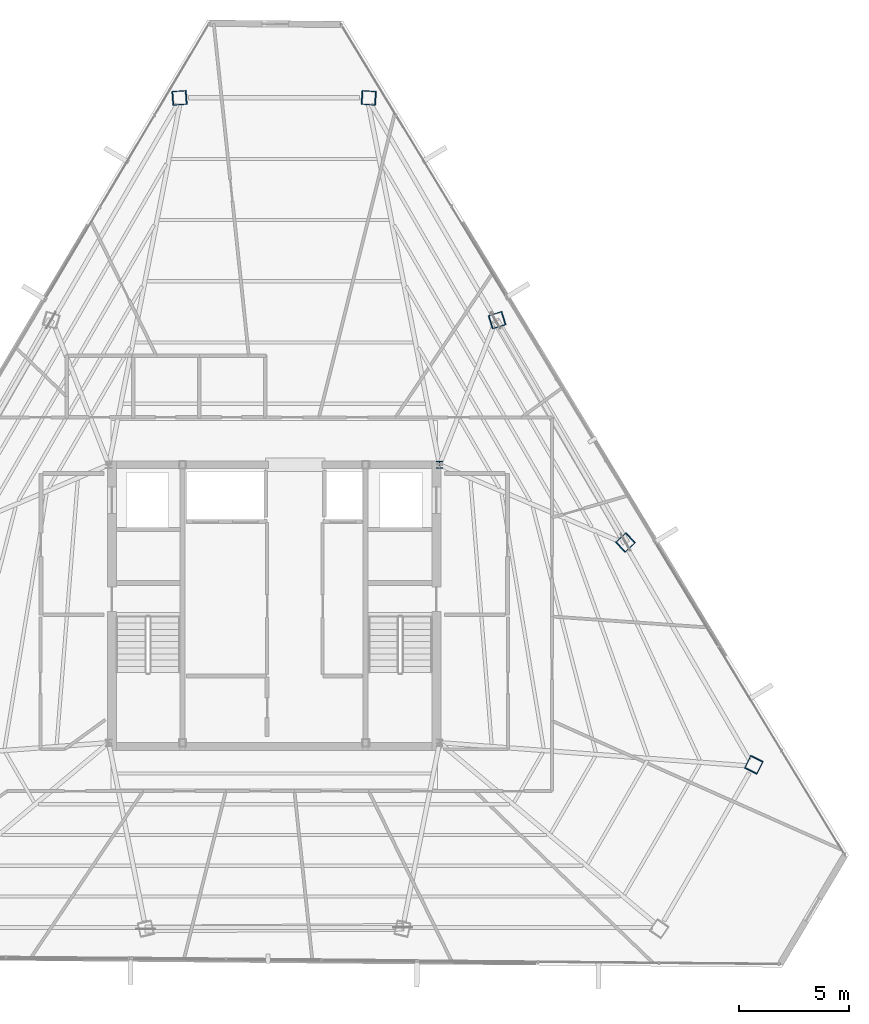
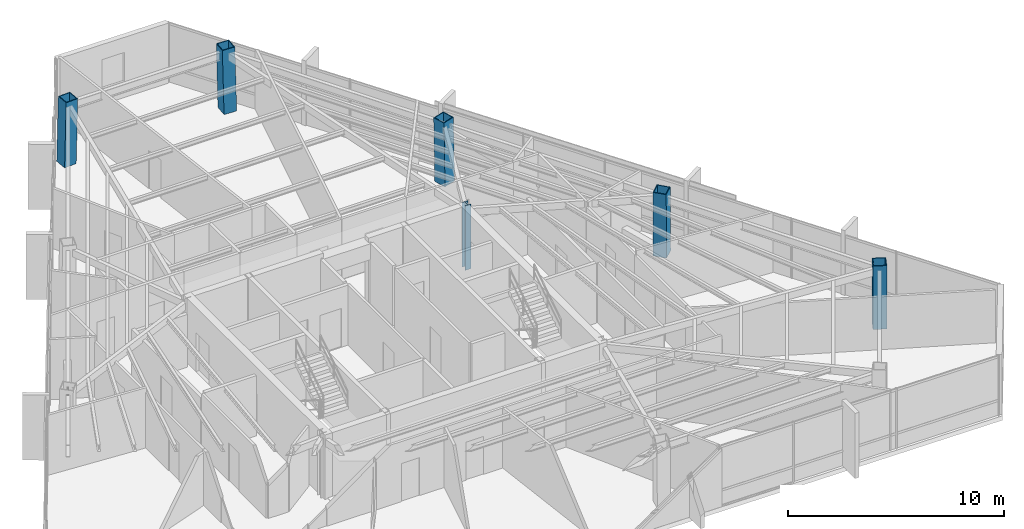
# One storey, part 2 of 46: 6 columns.
"""IFC4 building model written with IfcOpenShell, lengths in metres."""

from ifc_helpers import new_model, si_unit, direction, frame, origin, origin_2d, place, context, subcontext, project, spatial, hollow_rectangle, i_section, extrude, source, transform, mapped, material, material_profile, profile_set, type_object, type_shapes, element, save


model = new_model("IFC4")

# Units and contexts
model_context = context("Model", 3, precision=1e-05, world=origin(), true_north=direction((0.0, 1.0)))
body_context = subcontext(model_context, "Body", "Model", "MODEL_VIEW")
ifc_project = project(units=[si_unit("LENGTHUNIT", "METRE"), si_unit("AREAUNIT", "SQUARE_METRE"), si_unit("VOLUMEUNIT", "CUBIC_METRE"), si_unit("PLANEANGLEUNIT", "RADIAN"), si_unit("MASSUNIT", "GRAM", prefix="KILO")], contexts=[model_context])

# Site, building, storey
site_placement = place(None, origin())
site = spatial("IfcSite", under=ifc_project, at=site_placement, CompositionType="ELEMENT")
building_placement = place(site_placement, origin())
building = spatial("IfcBuilding", under=site, at=building_placement, Name="Caelisora Broadcast Tower", CompositionType="ELEMENT")
storey_placement = place(building_placement, frame((0.0, 0.0, 237.14990234375)))
storey = spatial("IfcBuildingStorey", under=building, at=storey_placement, Name="L62", CompositionType="ELEMENT", Elevation=237.14990234375)

# Columns
ifc_material_1 = material(Name="Steel Grade 350 (AS/NZS 3679.1)", Category="steel")
ifc_material_profile_1 = material_profile(ifc_material_1, i_section(OverallWidth=0.31103515625, OverallDepth=0.3271484375, WebThickness=0.015625, FlangeThickness=0.02490234375, at=origin_2d()), Name="Steel Grade 350 (AS/NZS 3679.1)")
ifc_profile_set_1 = profile_set([ifc_material_profile_1], Name="Steel Grade 350 (AS/NZS 3679.1)")
column_type_1 = type_object("IfcColumnType", Name="CC03", PredefinedType="COLUMN", material=ifc_profile_set_1)
shared_shape_1 = source(origin(), body_context, "Body", "SweptSolid", [
    extrude(i_section(OverallWidth=0.31103515625, OverallDepth=0.3271484375, WebThickness=0.015625, FlangeThickness=0.02490234375, at=origin_2d()), origin(), (0.0, 0.0, 1.0), 3.650146484375),
])
type_shapes(column_type_1, [shared_shape_1])
column_placement = place(storey_placement, frame((45.5, 30.0, 0.0), z_axis=(0.0, 0.0, 1.0), x_axis=(1.0, 0.0, 0.0)))
element("IfcColumn", 1, at=column_placement, inside=storey, type_object=column_type_1, Name="L62 column CC03", PredefinedType="COLUMN", context=body_context, shape_type="MappedRepresentation", body=[
    mapped(shared_shape_1, transform((0.0, 0.0, 0.0), scale=1.0)),
])
ifc_material_2 = material(Name="Steel Grade 350 L15 (AS/NZS 3678)", Category="steel")
ifc_material_profile_2 = material_profile(ifc_material_2, hollow_rectangle(XDim=0.64990234375, YDim=0.64990234375, WallThickness=0.0400390625, at=origin_2d()), Name="Steel Grade 350 L15 (AS/NZS 3678)")
ifc_profile_set_2 = profile_set([ifc_material_profile_2], Name="Steel Grade 350 L15 (AS/NZS 3678)")
column_type_2 = type_object("IfcColumnType", Name="MC06", PredefinedType="COLUMN", material=ifc_profile_set_2)
shared_shape_2 = source(origin(), body_context, "Body", "SweptSolid", [
    extrude(hollow_rectangle(XDim=0.64990234375, YDim=0.64990234375, WallThickness=0.0400390625, at=origin_2d()), origin(), (0.0, 0.0, 1.0), 3.651123046875),
])
for number, where, z_axis, x_axis, name in (
    (2, (42.305908203125, 46.640869140625, 0.0), (-0.023937988913, 0.001738513161, 0.999711933638), (-0.072434920849, -0.997373140926, 0.0), "L62 column MC06"),
    (3, (33.694091796875, 46.640869140625, 0.0), (0.023937988913, 0.001738513161, 0.999711933638), (-0.072434920849, 0.997373140926, 0.0), "L62 column MC06"),
    (4, (59.760498046875, 16.40869140625, 0.0), (-0.010431083049, -0.021597691184, 0.999712324742), (0.900476348161, -0.434904985489, 0.0), "L62 column MC06"),
):
    element("IfcColumn", number, at=place(storey_placement, frame(where, z_axis=z_axis, x_axis=x_axis)), inside=storey, type_object=column_type_2, Name=name, PredefinedType="COLUMN", context=body_context, shape_type="MappedRepresentation", body=[
        mapped(shared_shape_2, transform((0.0, 0.0, 0.0), scale=1.0)),
    ])
shared_shape_3 = source(origin(), body_context, "Body", "SweptSolid", [
    extrude(hollow_rectangle(XDim=0.64990234375, YDim=0.64990234375, WallThickness=0.0400390625, at=origin_2d()), origin(), (0.0, 0.0, 1.0), 3.65087890625),
])
type_shapes(column_type_2, [shared_shape_2, shared_shape_3])
for number, where, z_axis, x_axis, name in (
    (5, (53.942138671875, 26.486083984375, 0.0), (-0.014912302561, -0.01384236157, 0.999792984702), (0.680325028146, -0.732910537568, 0.0), "L62 column MC06"),
    (6, (48.1240234375, 36.5634765625, 0.0), (-0.01939269685, -0.00601842316, 0.999793829693), (0.296399214872, -0.955064136811, 0.0), "L62 column MC06"),
):
    element("IfcColumn", number, at=place(storey_placement, frame(where, z_axis=z_axis, x_axis=x_axis)), inside=storey, type_object=column_type_2, Name=name, PredefinedType="COLUMN", context=body_context, shape_type="MappedRepresentation", body=[
        mapped(shared_shape_3, transform((0.0, 0.0, 0.0), scale=1.0)),
    ])

save(model, "model.ifc")
